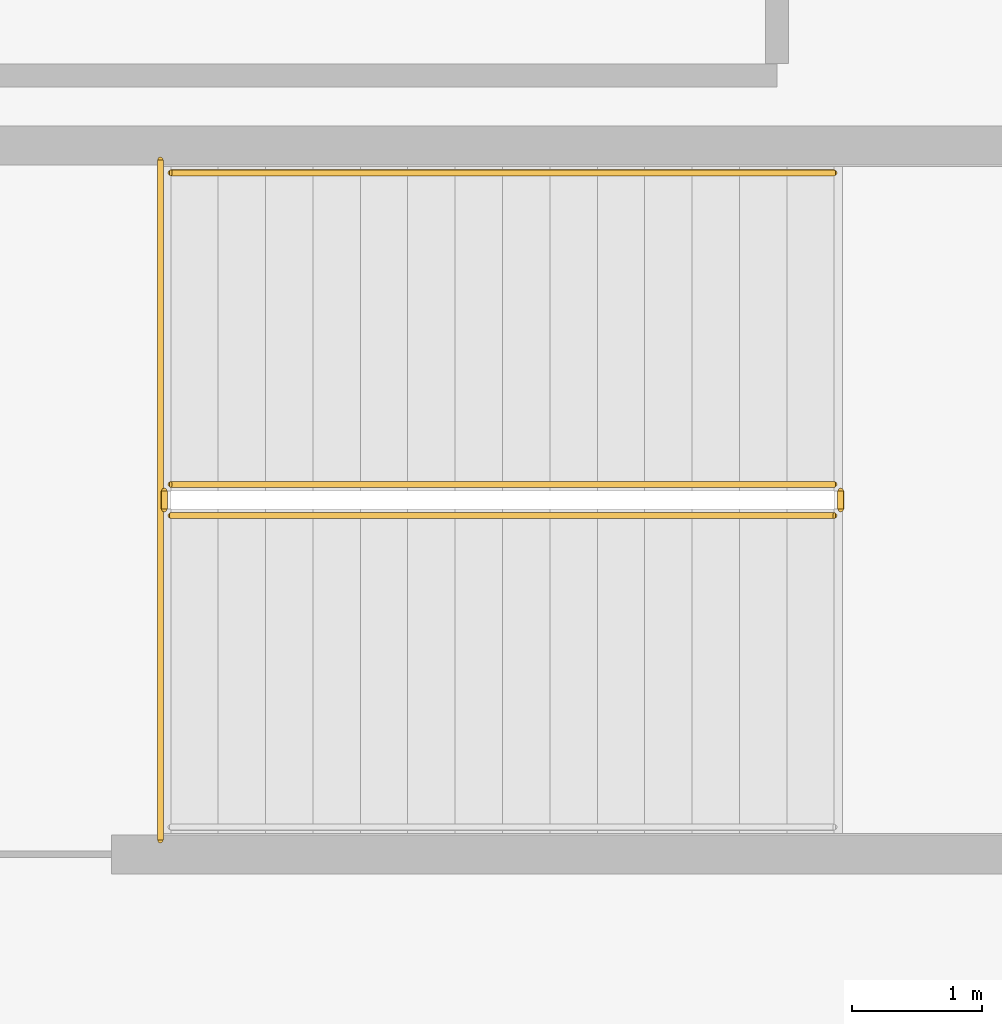
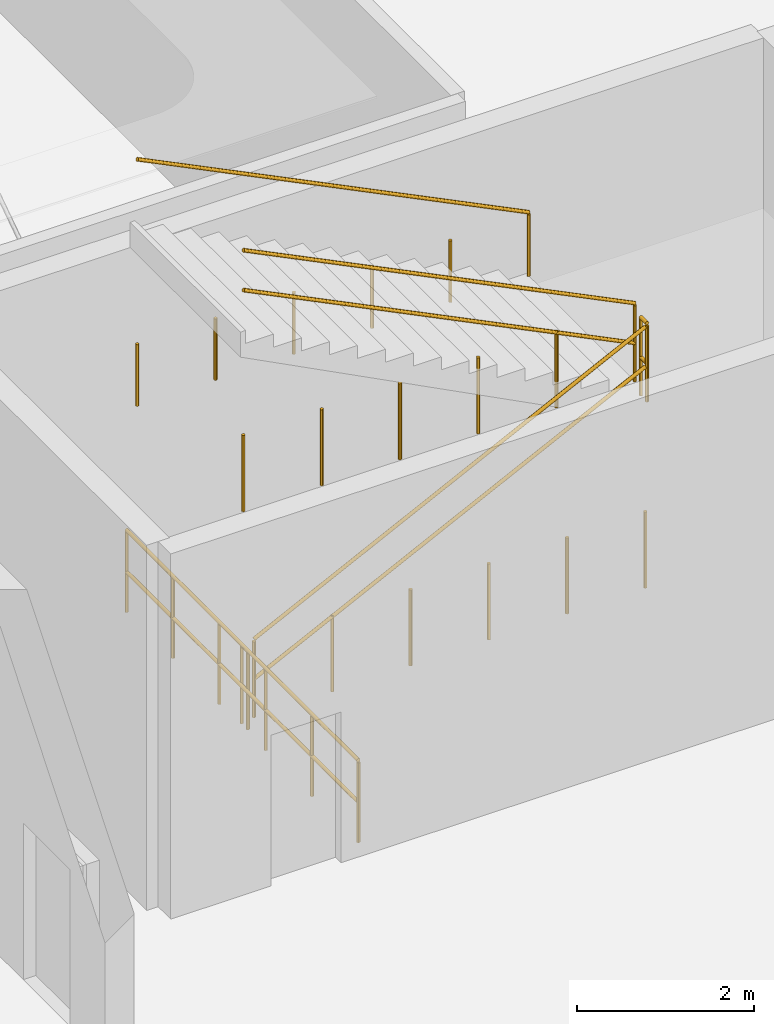
# One storey, part 124 of 129: 6 railings.
"""IFC4 building model written with IfcOpenShell, lengths in metres."""

import ifcopenshell
import ifcopenshell.guid

model = None  # the IFC model being written
_history = None  # IfcOwnerHistory: only IFC2X3 demands one
_inside = {}  # id of a spatial element -> (the spatial element, [elements in it])
_under = {}  # id of a project, library or spatial element -> (it, [spatial elements below it])
_declared = {}  # id of a project -> (the project, [libraries it declares])
_typed = {}  # id of a type object -> (the type object, [elements of that type])
_made_of = {}  # id of a material, layer set ... -> (it, [elements and type objects made of it])


def new_model(schema):
    """Start an empty IFC model of exactly this schema.

    Asked for "IFC4X3", IfcOpenShell would pick the latest addendum, in which some entities
    have other attributes; the version numbers below select the first issue.
    IFC2X3 requires an IfcOwnerHistory on every rooted entity: one is made here for all.
    """
    global model, _history
    if schema == "IFC4X3":
        model = ifcopenshell.file(schema_version=(4, 3, 0, 0))
    else:
        model = ifcopenshell.file(schema=schema)
    _inside.clear()
    _under.clear()
    _declared.clear()
    _typed.clear()
    _made_of.clear()
    _history = None
    if model.schema == "IFC2X3":
        org = make("IfcOrganization", Name="unknown")
        user = make(
            "IfcPersonAndOrganization",
            ThePerson=make("IfcPerson", FamilyName="unknown"),
            TheOrganization=org,
        )
        app = make(
            "IfcApplication",
            ApplicationDeveloper=org,
            Version="unknown",
            ApplicationFullName="unknown",
            ApplicationIdentifier="unknown",
        )
        _history = make(
            "IfcOwnerHistory",
            OwningUser=user,
            OwningApplication=app,
            ChangeAction="ADDED",
            CreationDate=0,
        )
    return model


def make(cls, **values):
    """One entity of the class cls with the attributes given. An attribute that is None is left unset."""
    return model.create_entity(
        cls, **{name: value for name, value in values.items() if value is not None}
    )


def rooted(cls, **values):
    """An entity with a GlobalId (a new one), such as an element, a storey or a relation."""
    return make(cls, GlobalId=ifcopenshell.guid.new(), OwnerHistory=_history, **values)


def si_unit(unit_type, name, prefix=None):
    """IfcSIUnit, for example si_unit("LENGTHUNIT", "METRE", prefix="MILLI")."""
    return make("IfcSIUnit", UnitType=unit_type, Prefix=prefix, Name=name)


def assignment(units):
    """IfcUnitAssignment: the units of a project."""
    return None if units is None else make("IfcUnitAssignment", Units=units)


def point(xyz):
    """IfcCartesianPoint."""
    return None if xyz is None else make("IfcCartesianPoint", Coordinates=xyz)


def direction(xyz):
    """IfcDirection."""
    return None if xyz is None else make("IfcDirection", DirectionRatios=xyz)


def frame(location, z_axis=None, x_axis=None):
    """IfcAxis2Placement3D, a coordinate frame: its origin and axes. An axis left out is left unset."""
    return make(
        "IfcAxis2Placement3D",
        Location=point(location),
        Axis=direction(z_axis),
        RefDirection=direction(x_axis),
    )


def frame_2d(location, x_axis=None):
    """IfcAxis2Placement2D, a coordinate frame in the plane: its origin and x axis."""
    return make(
        "IfcAxis2Placement2D", Location=point(location), RefDirection=direction(x_axis)
    )


def origin():
    """The frame at (0, 0, 0) with its axes left unset."""
    return frame((0.0, 0.0, 0.0))


def origin_2d():
    """The frame at (0, 0) in the plane with its x axis left unset."""
    return frame_2d((0.0, 0.0))


def place(relative_to, where):
    """IfcLocalPlacement: puts the frame where relative to a parent placement (None: the world)."""
    return make(
        "IfcLocalPlacement", PlacementRelTo=relative_to, RelativePlacement=where
    )


def context(
    kind, dimensions, precision=None, world=None, true_north=None, identifier=None
):
    """IfcGeometricRepresentationContext, for example the 3D "Model" context."""
    return make(
        "IfcGeometricRepresentationContext",
        ContextIdentifier=identifier,
        ContextType=kind,
        CoordinateSpaceDimension=dimensions,
        Precision=precision,
        WorldCoordinateSystem=world,
        TrueNorth=true_north,
    )


def subcontext(parent, identifier, kind, view, scale=None):
    """IfcGeometricRepresentationSubContext, for example "Body" below "Model"."""
    return make(
        "IfcGeometricRepresentationSubContext",
        ContextIdentifier=identifier,
        ContextType=kind,
        ParentContext=parent,
        TargetScale=scale,
        TargetView=view,
    )


def project(units=None, contexts=None):
    """IfcProject with its units and contexts."""
    return rooted(
        "IfcProject",
        Name="project",
        RepresentationContexts=contexts,
        UnitsInContext=assignment(units),
    )


def spatial(cls, under=None, at=None, **own):
    """A site, building, storey or space (cls), placed at a placement, below another one or the project."""
    s = rooted(cls, ObjectPlacement=at, **own)
    if under is not None:
        _under.setdefault(under.id(), (under, []))[1].append(s)
    return s


def profile(cls, at=None, kind="AREA", **sizes):
    """A parametric profile (cls). Its sizes go by their IFC names, for example OverallWidth=200.0."""
    return make(cls, ProfileType=kind, Position=at, **sizes)


def circle(**sizes):
    """IfcCircleProfileDef."""
    return profile("IfcCircleProfileDef", **sizes)


def extrude(swept, where, along, depth):
    """IfcExtrudedAreaSolid: the profile swept, set in the frame where, extruded along a direction by depth."""
    return make(
        "IfcExtrudedAreaSolid",
        SweptArea=swept,
        Position=where,
        ExtrudedDirection=direction(along),
        Depth=depth,
    )


def shape(context_of_items, identifier, shape_type, items):
    """IfcShapeRepresentation: the items that make up one representation, for example the "Body"."""
    return make(
        "IfcShapeRepresentation",
        ContextOfItems=context_of_items,
        RepresentationIdentifier=identifier,
        RepresentationType=shape_type,
        Items=items,
    )


def material(Name=None, Category=None):
    """IfcMaterial."""
    return make("IfcMaterial", Name=Name, Category=Category)


def made_of(thing, what):
    """Note that an element or type object is made of a material, layer set ...; save() writes the relation."""
    if what is not None:
        _made_of.setdefault(what.id(), (what, []))[1].append(thing)
    return thing


def type_object(cls, material=None, **own):
    """A type object (cls), such as IfcWallType, which elements share."""
    return made_of(rooted(cls, **own), material)


def element(
    cls,
    number,
    at=None,
    inside=None,
    cuts=None,
    type_object=None,
    material=None,
    context=None,
    identifier="Body",
    shape_type=None,
    held_by="IfcProductDefinitionShape",
    body=None,
    shapes=None,
    **own,
):
    """One element of the class cls, such as IfcWall. Its Tag is "e" and its number.

    at: its placement. inside: the storey or other place that contains it. cuts: it is an
    opening in that element (IfcRelVoidsElement). A single representation is given by context,
    identifier, shape_type and body (its items); several are given by shapes. held_by: the class
    of the entity that holds the representations. save() writes the other relations.
    """
    e = rooted(cls, Tag="e%d" % number, ObjectPlacement=at, **own)
    if body is not None:
        shapes = [shape(context, identifier, shape_type, body)]
    if shapes is not None:
        e.Representation = make(held_by, Representations=shapes)
    if inside is not None:
        _inside.setdefault(inside.id(), (inside, []))[1].append(e)
    if cuts is not None:
        rooted(
            "IfcRelVoidsElement", RelatingBuildingElement=cuts, RelatedOpeningElement=e
        )
    if type_object is not None:
        _typed.setdefault(type_object.id(), (type_object, []))[1].append(e)
    return made_of(e, material)


def aggregate(whole, parts):
    """IfcRelAggregates: a whole, such as a stair, and the parts it consists of."""
    return rooted("IfcRelAggregates", RelatingObject=whole, RelatedObjects=parts)


def save(model, path):
    """Write the relations noted so far, then the file.

    IfcRelAggregates (storeys below a building ...), IfcRelContainedInSpatialStructure (elements
    in a storey), IfcRelDefinesByType, IfcRelAssociatesMaterial and IfcRelDeclares: one each for
    every whole, place, type object, material and project.
    """
    for whole, parts in _under.values():
        aggregate(whole, parts)
    for where, things in _inside.values():
        rooted(
            "IfcRelContainedInSpatialStructure",
            RelatedElements=things,
            RelatingStructure=where,
        )
    for kind, things in _typed.values():
        rooted("IfcRelDefinesByType", RelatedObjects=things, RelatingType=kind)
    for what, things in _made_of.values():
        rooted("IfcRelAssociatesMaterial", RelatedObjects=things, RelatingMaterial=what)
    for by, libraries in _declared.values():
        rooted("IfcRelDeclares", RelatingContext=by, RelatedDefinitions=libraries)
    model.write(path)


model = new_model("IFC4")

# Units and contexts
model_context = context("Model", 3, precision=1e-05, world=origin(), true_north=direction((0.0, 1.0)))
body_context = subcontext(model_context, "Body", "Model", "MODEL_VIEW")
ifc_project = project(units=[si_unit("LENGTHUNIT", "METRE"), si_unit("AREAUNIT", "SQUARE_METRE"), si_unit("VOLUMEUNIT", "CUBIC_METRE"), si_unit("PLANEANGLEUNIT", "RADIAN"), si_unit("MASSUNIT", "GRAM", prefix="KILO")], contexts=[model_context])

# Site, building, storey
site_placement = place(None, origin())
site = spatial("IfcSite", under=ifc_project, at=site_placement, CompositionType="ELEMENT")
building_placement = place(site_placement, origin())
building = spatial("IfcBuilding", under=site, at=building_placement, Name="Danafjord Basin Convention Centre", CompositionType="ELEMENT")
storey_placement = place(building_placement, frame((0.0, 0.0, 6.0)))
storey = spatial("IfcBuildingStorey", under=building, at=storey_placement, Name="L01", CompositionType="ELEMENT", Elevation=6.0)

# Railings
ifc_material_1 = material(Name="Galvanised and powder-coated steel S355", Category="steel")
railing_type_1 = type_object("IfcRailingType", Name="RL-BAL-STL", PredefinedType="BALUSTRADE", material=ifc_material_1)
railing_1_placement = place(storey_placement, frame((138.85009765625, 123.550048828125, 0.0)))
element("IfcRailing", 1, at=railing_1_placement, inside=storey, type_object=railing_type_1, Name="L01 safety guard balustrade 79", PredefinedType="BALUSTRADE", context=body_context, shape_type="SweptSolid", body=[
    extrude(circle(Radius=0.02392578125, at=origin_2d()), frame((0.0, 0.0, 1.1259765625), z_axis=(0.0, -1.0, 0.0), x_axis=(1.0, 0.0, 0.0)), (0.0, 0.0, 1.0), 5.239990234375),
    extrude(circle(Radius=0.02392578125, at=origin_2d()), frame((0.0, 0.0, 0.55078125), z_axis=(0.0, -1.0, 0.0), x_axis=(1.0, 0.0, 0.0)), (0.0, 0.0, 1.0), 5.239990234375),
    extrude(circle(Radius=0.02099609375, at=origin_2d()), origin(), (0.0, 0.0, 1.0), 1.099853515625),
    extrude(circle(Radius=0.02099609375, at=origin_2d()), frame((0.0, -1.048095703125, 0.0)), (0.0, 0.0, 1.0), 1.099853515625),
    extrude(circle(Radius=0.02099609375, at=origin_2d()), frame((0.0, -2.095947265625, 0.0)), (0.0, 0.0, 1.0), 1.099853515625),
    extrude(circle(Radius=0.02099609375, at=origin_2d()), frame((0.0, -3.14404296875, 0.0)), (0.0, 0.0, 1.0), 1.099853515625),
    extrude(circle(Radius=0.02099609375, at=origin_2d()), frame((0.0, -4.19189453125, 0.0)), (0.0, 0.0, 1.0), 1.099853515625),
    extrude(circle(Radius=0.02099609375, at=origin_2d()), frame((0.0, -5.239990234375, 0.0)), (0.0, 0.0, 1.0), 1.099853515625),
])
ifc_material_2 = material(Name="Galvanised steel S355", Category="steel")
railing_type_2 = type_object("IfcRailingType", Name="RL-GD-WELL", PredefinedType="BALUSTRADE", material=ifc_material_2)
railing_2_placement = place(storey_placement, frame((138.929931640625, 120.81005859375, 0.179931640625)))
element("IfcRailing", 2, at=railing_2_placement, inside=storey, type_object=railing_type_2, Name="L01 ST-12 stair guard 1", PredefinedType="BALUSTRADE", context=body_context, shape_type="SweptSolid", body=[
    extrude(circle(Radius=0.02392578125, at=origin_2d()), frame((0.0, 0.0, 1.076171875), z_axis=(0.896873198966, 0.0, 0.442287762635), x_axis=(0.0, 1.0, 0.0)), (0.0, 0.0, 1.0), 5.69775390625),
    extrude(circle(Radius=0.02392578125, at=origin_2d()), frame((0.0, 0.0, 0.52587890625), z_axis=(0.896873198966, 0.0, 0.442287762635), x_axis=(0.0, 1.0, 0.0)), (0.0, 0.0, 1.0), 5.69775390625),
    extrude(circle(Radius=0.02099609375, at=origin_2d()), origin(), (0.0, 0.0, 1.0), 1.050048828125),
    extrude(circle(Radius=0.02099609375, at=origin_2d()), frame((1.02197265625, 0.0, 0.0)), (0.0, 0.0, 1.0), 1.050048828125),
    extrude(circle(Radius=0.02099609375, at=origin_2d()), frame((2.0439453125, 0.0, 0.0)), (0.0, 0.0, 1.0), 1.050048828125),
    extrude(circle(Radius=0.02099609375, at=origin_2d()), frame((3.066162109375, 0.0, 0.0)), (0.0, 0.0, 1.0), 1.050048828125),
    extrude(circle(Radius=0.02099609375, at=origin_2d()), frame((4.088134765625, 0.0, 0.0)), (0.0, 0.0, 1.0), 1.050048828125),
    extrude(circle(Radius=0.02099609375, at=origin_2d()), frame((5.110107421875, 0.0, 0.0)), (0.0, 0.0, 1.0), 1.050048828125),
])
railing_3_placement = place(storey_placement, frame((144.090087890625, 120.860107421875, 2.699951171875)))
element("IfcRailing", 3, at=railing_3_placement, inside=storey, type_object=railing_type_2, Name="L01 ST-12 stair guard 2", PredefinedType="BALUSTRADE", context=body_context, shape_type="SweptSolid", body=[
    extrude(circle(Radius=0.02392578125, at=origin_2d()), frame((0.0, 0.0, 1.076171875), z_axis=(0.0, 1.0, 0.0), x_axis=(-1.0, 0.0, 0.0)), (0.0, 0.0, 1.0), 0.139892578125),
    extrude(circle(Radius=0.02392578125, at=origin_2d()), frame((0.0, 0.0, 0.52587890625), z_axis=(0.0, 1.0, 0.0), x_axis=(-1.0, 0.0, 0.0)), (0.0, 0.0, 1.0), 0.139892578125),
    extrude(circle(Radius=0.02099609375, at=origin_2d()), origin(), (0.0, 0.0, 1.0), 1.050048828125),
    extrude(circle(Radius=0.02099609375, at=origin_2d()), frame((0.0, 0.139892578125, 0.0)), (0.0, 0.0, 1.0), 1.050048828125),
])
railing_4_placement = place(storey_placement, frame((144.0400390625, 121.050048828125, 2.8798828125)))
element("IfcRailing", 4, at=railing_4_placement, inside=storey, type_object=railing_type_2, Name="L01 ST-12 stair guard 3", PredefinedType="BALUSTRADE", context=body_context, shape_type="SweptSolid", body=[
    extrude(circle(Radius=0.02392578125, at=origin_2d()), frame((0.0, 0.0, 1.076171875), z_axis=(-0.896873198966, 0.0, 0.442287762635), x_axis=(0.0, -1.0, 0.0)), (0.0, 0.0, 1.0), 5.69775390625),
    extrude(circle(Radius=0.02392578125, at=origin_2d()), frame((0.0, 0.0, 0.52587890625), z_axis=(-0.896873198966, 0.0, 0.442287762635), x_axis=(0.0, -1.0, 0.0)), (0.0, 0.0, 1.0), 5.69775390625),
    extrude(circle(Radius=0.02099609375, at=origin_2d()), origin(), (0.0, 0.0, 1.0), 1.050048828125),
    extrude(circle(Radius=0.02099609375, at=origin_2d()), frame((-1.02197265625, 0.0, 0.0)), (0.0, 0.0, 1.0), 1.050048828125),
    extrude(circle(Radius=0.02099609375, at=origin_2d()), frame((-2.0439453125, 0.0, 0.0)), (0.0, 0.0, 1.0), 1.050048828125),
    extrude(circle(Radius=0.02099609375, at=origin_2d()), frame((-3.066162109375, 0.0, 0.0)), (0.0, 0.0, 1.0), 1.050048828125),
    extrude(circle(Radius=0.02099609375, at=origin_2d()), frame((-4.088134765625, 0.0, 0.0)), (0.0, 0.0, 1.0), 1.050048828125),
    extrude(circle(Radius=0.02099609375, at=origin_2d()), frame((-5.110107421875, 0.0, 0.0)), (0.0, 0.0, 1.0), 1.050048828125),
])
railing_5_placement = place(storey_placement, frame((138.8798828125, 120.860107421875, 0.0)))
element("IfcRailing", 5, at=railing_5_placement, inside=storey, type_object=railing_type_2, Name="L01 ST-12 stair guard 4", PredefinedType="BALUSTRADE", context=body_context, shape_type="SweptSolid", body=[
    extrude(circle(Radius=0.02392578125, at=origin_2d()), frame((0.0, 0.0, 1.076171875), z_axis=(0.0, 1.0, 0.0), x_axis=(-1.0, 0.0, 0.0)), (0.0, 0.0, 1.0), 0.139892578125),
    extrude(circle(Radius=0.02392578125, at=origin_2d()), frame((0.0, 0.0, 0.52587890625), z_axis=(0.0, 1.0, 0.0), x_axis=(-1.0, 0.0, 0.0)), (0.0, 0.0, 1.0), 0.139892578125),
    extrude(circle(Radius=0.02099609375, at=origin_2d()), origin(), (0.0, 0.0, 1.0), 1.050048828125),
    extrude(circle(Radius=0.02099609375, at=origin_2d()), frame((0.0, 0.139892578125, 0.0)), (0.0, 0.0, 1.0), 1.050048828125),
])
ifc_material_3 = material(Name="Brushed stainless steel EN 1.4404", Category="steel")
railing_type_3 = type_object("IfcRailingType", Name="RL-HR-STAIR", PredefinedType="HANDRAIL", material=ifc_material_3)
railing_6_placement = place(storey_placement, frame((144.0400390625, 123.449951171875, 2.8798828125)))
element("IfcRailing", 6, at=railing_6_placement, inside=storey, type_object=railing_type_3, Name="L01 ST-12 stair handrail 2", PredefinedType="HANDRAIL", context=body_context, shape_type="SweptSolid", body=[
    extrude(circle(Radius=0.02392578125, at=origin_2d()), frame((0.0, 0.0, 0.8759765625), z_axis=(-0.896873198966, 0.0, 0.442287762635), x_axis=(0.0, -1.0, 0.0)), (0.0, 0.0, 1.0), 5.69775390625),
    extrude(circle(Radius=0.02099609375, at=origin_2d()), origin(), (0.0, 0.0, 1.0), 0.849853515625),
    extrude(circle(Radius=0.02099609375, at=origin_2d()), frame((-1.02197265625, 0.0, 0.0)), (0.0, 0.0, 1.0), 0.849853515625),
    extrude(circle(Radius=0.02099609375, at=origin_2d()), frame((-2.0439453125, 0.0, 0.0)), (0.0, 0.0, 1.0), 0.849853515625),
    extrude(circle(Radius=0.02099609375, at=origin_2d()), frame((-3.066162109375, 0.0, 0.0)), (0.0, 0.0, 1.0), 0.849853515625),
    extrude(circle(Radius=0.02099609375, at=origin_2d()), frame((-4.088134765625, 0.0, 0.0)), (0.0, 0.0, 1.0), 0.849853515625),
    extrude(circle(Radius=0.02099609375, at=origin_2d()), frame((-5.110107421875, 0.0, 0.0)), (0.0, 0.0, 1.0), 0.849853515625),
])

save(model, "model.ifc")
